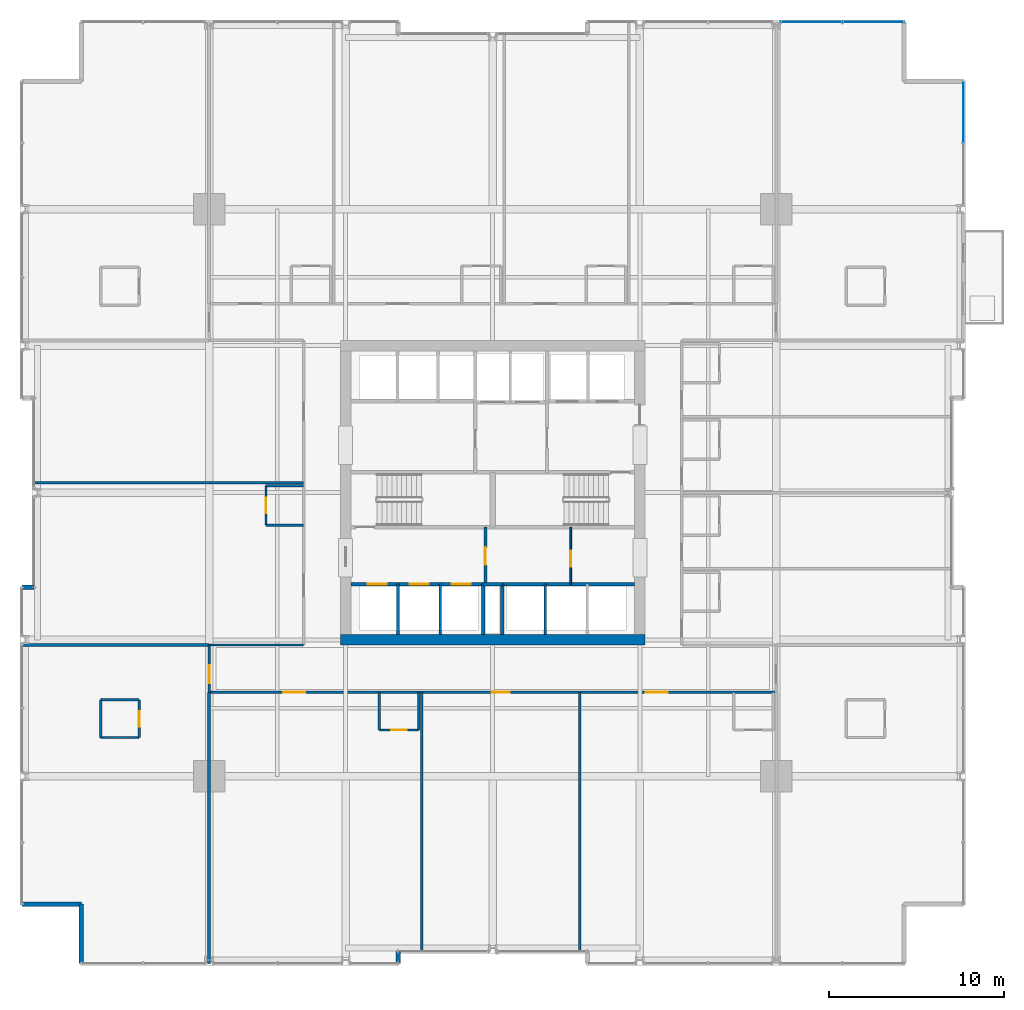
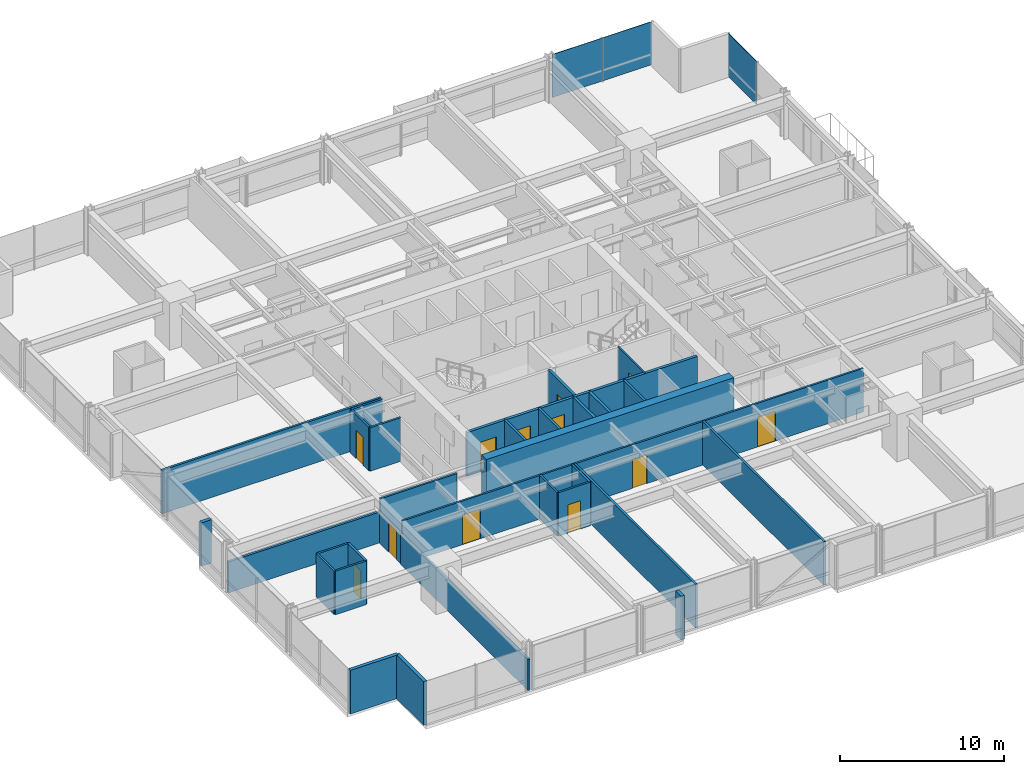
# One storey, part 30 of 38: 33 walls, 12 doors, 3 plates, 12 openings, 2 elements without a shape of their own.
"""IFC4 building model written with IfcOpenShell, lengths in metres."""

from ifc_helpers import new_model, si_unit, direction, frame, frame_2d, origin, origin_2d, place, context, subcontext, project, spatial, rectangle, extrude, material, layer, layer_set, type_object, element, fill, aggregate, save


model = new_model("IFC4")

# Units and contexts
model_context = context("Model", 3, precision=1e-05, world=origin(), true_north=direction((0.0, 1.0)))
body_context = subcontext(model_context, "Body", "Model", "MODEL_VIEW")
ifc_project = project(units=[si_unit("LENGTHUNIT", "METRE"), si_unit("AREAUNIT", "SQUARE_METRE"), si_unit("VOLUMEUNIT", "CUBIC_METRE"), si_unit("PLANEANGLEUNIT", "RADIAN"), si_unit("MASSUNIT", "GRAM", prefix="KILO")], contexts=[model_context])

# Site, building, storey
site_placement = place(None, origin())
site = spatial("IfcSite", under=ifc_project, at=site_placement, CompositionType="ELEMENT")
building_placement = place(site_placement, origin())
building = spatial("IfcBuilding", under=site, at=building_placement, Name="Drelvath Grand Hotel", CompositionType="ELEMENT")
storey_placement = place(building_placement, frame((0.0, 0.0, 50.699951171875)))
storey = spatial("IfcBuildingStorey", under=building, at=storey_placement, Name="L11", CompositionType="ELEMENT", Elevation=50.699951171875)

# Curtain wall, plate
ifc_material_1 = material(Name="Warm Bronze Anodised Aluminium Frame", Category="aluminium")
ifc_layer_1 = layer(ifc_material_1, 0.199951171875)
ifc_layer_set_1 = layer_set([ifc_layer_1], Name="Warm Bronze Anodised Aluminium Frame")
curtain_wall_type = type_object("IfcCurtainWallType", Name="Stick Curtain Wall CW-02 Warm Bronze Low-Rise", PredefinedType="NOTDEFINED", material=ifc_layer_set_1)
curtain_wall_1_placement = place(storey_placement, origin())
curtain_wall_1 = element("IfcCurtainWall", 1, at=curtain_wall_1_placement, inside=storey, type_object=curtain_wall_type, Name="L11 CW-02 Curtain Wall CW02-L11-EN3", PredefinedType="NOTDEFINED")
ifc_material_2 = material(Name="Low-E Triple Silver Vision Glass Bronze Tint", Category="glass")
ifc_layer_2 = layer(ifc_material_2, 0.035888671875)
ifc_layer_set_2 = layer_set([ifc_layer_2], Name="Low-E Triple Silver Vision Glass Bronze Tint")
plate_type = type_object("IfcPlateType", Name="Curtain Wall Vision Panel CW-02 36mm", PredefinedType="CURTAIN_PANEL", material=ifc_layer_set_2)
plate_1_placement = place(storey_placement, frame((26.8798828125, 48.735107421875, 0.02001953125), z_axis=(0.0, 0.0, 1.0), x_axis=(0.0, -1.0, 0.0)))
plate_1 = element("IfcPlate", 2, at=plate_1_placement, type_object=plate_type, Name="CW02-L11-EN3 Glazed Panel 1", PredefinedType="CURTAIN_PANEL", context=body_context, shape_type="SweptSolid", body=[
    extrude(rectangle(XDim=3.489501953125, YDim=0.035888671875, at=origin_2d()), origin(), (0.0, 0.0, 1.0), 3.199951171875),
])
aggregate(curtain_wall_1, [plate_1])

# Curtain wall, plates
curtain_wall_2_placement = place(storey_placement, origin())
curtain_wall_2 = element("IfcCurtainWall", 3, at=curtain_wall_2_placement, inside=storey, type_object=curtain_wall_type, Name="L11 CW-02 Curtain Wall CW02-L11-NE3", PredefinedType="NOTDEFINED")
plate_2_placement = place(storey_placement, frame((18.205810546875, 53.8798828125, 0.02001953125), z_axis=(0.0, 0.0, 1.0), x_axis=(1.0, 0.0, 0.0)))
plate_2 = element("IfcPlate", 4, at=plate_2_placement, type_object=plate_type, Name="CW02-L11-NE3 Glazed Panel 1", PredefinedType="CURTAIN_PANEL", context=body_context, shape_type="SweptSolid", body=[
    extrude(rectangle(XDim=3.489501953125, YDim=0.035888671875, at=origin_2d()), origin(), (0.0, 0.0, 1.0), 3.199951171875),
])
plate_3_placement = place(storey_placement, frame((21.735107421875, 53.8798828125, 0.02001953125), z_axis=(0.0, 0.0, 1.0), x_axis=(1.0, 0.0, 0.0)))
plate_3 = element("IfcPlate", 5, at=plate_3_placement, type_object=plate_type, Name="CW02-L11-NE3 Glazed Panel 2", PredefinedType="CURTAIN_PANEL", context=body_context, shape_type="SweptSolid", body=[
    extrude(rectangle(XDim=3.489501953125, YDim=0.035888671875, at=origin_2d()), origin(), (0.0, 0.0, 1.0), 3.199951171875),
])
aggregate(curtain_wall_2, [plate_2, plate_3])

# Wall, opening, door
ifc_material_3 = material(Name="Gypsum Partition Board")
ifc_layer_3 = layer(ifc_material_3, 0.10009765625)
ifc_layer_set_3 = layer_set([ifc_layer_3], Name="Gypsum Partition Board")
wall_type_1 = type_object("IfcWallType", Name="Core Closet Partition 100", PredefinedType="PARTITIONING", material=ifc_layer_set_3)
wall_1_placement = place(storey_placement, frame((4.4599609375, 21.780029296875, 0.0), z_axis=(0.0, 0.0, 1.0), x_axis=(0.0, 1.0, 0.0)))
wall_1 = element("IfcWall", 6, at=wall_1_placement, inside=storey, type_object=wall_type_1, Name="L11 Housekeeping Split Wall", PredefinedType="PARTITIONING", context=body_context, shape_type="SweptSolid", body=[
    extrude(rectangle(XDim=3.260009765625, YDim=0.10009765625, at=frame_2d((1.6298828125, 0.0))), origin(), (0.0, 0.0, 1.0), 3.239990234375),
])
opening_1_placement = place(wall_1_placement, frame((1.0, 0.0, 0.0)))
opening_1 = element("IfcOpeningElement", 7, at=opening_1_placement, cuts=wall_1, Name="Opening D-T1G2-015", PredefinedType="OPENING", context=body_context, shape_type="SweptSolid", body=[
    extrude(rectangle(XDim=0.919921875, YDim=2.10009765625, at=frame_2d((0.4599609375, 1.050048828125))), frame((0.0, 0.06005859375, 0.0), z_axis=(0.0, -1.0, 0.0), x_axis=(1.0, 0.0, 0.0)), (0.0, 0.0, 1.0), 0.1201171875),
])
ifc_material_4 = material(Name="Painted Steel S275", Category="steel")
door_type_1 = type_object("IfcDoorType", Name="Staff Utility Door 920x2100", OperationType="NOTDEFINED", PredefinedType="DOOR", material=ifc_material_4)
door_1_placement = place(opening_1_placement, origin())
door_1 = element("IfcDoor", 8, at=door_1_placement, inside=storey, type_object=door_type_1, Name="L11 Core Store Door", OperationType="SINGLE_SWING_RIGHT", OverallHeight=2.10009765625, OverallWidth=0.919921875, PredefinedType="DOOR", context=body_context, shape_type="SweptSolid", body=[
    extrude(rectangle(XDim=0.919921875, YDim=2.10009765625, at=frame_2d((0.4599609375, 1.050048828125))), frame((0.0, 0.02490234375, 0.0), z_axis=(0.0, -1.0, 0.0), x_axis=(1.0, 0.0, 0.0)), (0.0, 0.0, 1.0), 0.050048828125),
])
fill(opening_1, door_1)

# Wall, openings, doors
ifc_material_5 = material(Name="Concrete C40/50", Category="concrete")
ifc_layer_4 = layer(ifc_material_5, 0.199951171875)
ifc_layer_set_4 = layer_set([ifc_layer_4], Name="Concrete C40/50")
wall_type_2 = type_object("IfcWallType", Name="Core Hoistway Fire Wall 200", PredefinedType="SOLIDWALL", material=ifc_layer_set_4)
wall_2_placement = place(storey_placement, frame((-0.550048828125, 21.780029296875, 0.0), z_axis=(0.0, 0.0, 1.0), x_axis=(-1.0, 0.0, 0.0)))
wall_2 = element("IfcWall", 9, at=wall_2_placement, inside=storey, type_object=wall_type_2, Name="L11 Bank 1 Hoistway Wall", PredefinedType="SOLIDWALL", context=body_context, shape_type="SweptSolid", body=[
    extrude(rectangle(XDim=7.550048828125, YDim=0.199951171875, at=frame_2d((3.77490234375, 0.0))), origin(), (0.0, 0.0, 1.0), 3.239990234375),
])
opening_2_placement = place(wall_2_placement, frame((5.5, 0.0, 0.0)))
opening_2 = element("IfcOpeningElement", 10, at=opening_2_placement, cuts=wall_2, Name="Opening LD-PE-1", PredefinedType="OPENING", context=body_context, shape_type="SweptSolid", body=[
    extrude(rectangle(XDim=1.10009765625, YDim=2.199951171875, at=frame_2d((0.550048828125, 1.10009765625))), frame((0.0, 0.10986328125, 0.0), z_axis=(0.0, -1.0, 0.0), x_axis=(1.0, 0.0, 0.0)), (0.0, 0.0, 1.0), 0.219970703125),
])
opening_3_placement = place(wall_2_placement, frame((3.10009765625, 0.0, 0.0)))
opening_3 = element("IfcOpeningElement", 11, at=opening_3_placement, cuts=wall_2, Name="Opening LD-PE-2", PredefinedType="OPENING", context=body_context, shape_type="SweptSolid", body=[
    extrude(rectangle(XDim=1.10009765625, YDim=2.199951171875, at=frame_2d((0.550048828125, 1.10009765625))), frame((0.0, 0.10986328125, 0.0), z_axis=(0.0, -1.0, 0.0), x_axis=(1.0, 0.0, 0.0)), (0.0, 0.0, 1.0), 0.219970703125),
])
opening_4_placement = place(wall_2_placement, frame((0.699951171875, 0.0, 0.0)))
opening_4 = element("IfcOpeningElement", 12, at=opening_4_placement, cuts=wall_2, Name="Opening LD-PE-3", PredefinedType="OPENING", context=body_context, shape_type="SweptSolid", body=[
    extrude(rectangle(XDim=1.10009765625, YDim=2.199951171875, at=frame_2d((0.550048828125, 1.10009765625))), frame((0.0, 0.10986328125, 0.0), z_axis=(0.0, -1.0, 0.0), x_axis=(1.0, 0.0, 0.0)), (0.0, 0.0, 1.0), 0.219970703125),
])
ifc_material_6 = material(Name="Stainless Steel S355", Category="steel")
door_type_2 = type_object("IfcDoorType", Name="Passenger Lift Sliding Landing Door 1100x2200", OperationType="NOTDEFINED", PredefinedType="DOOR", material=ifc_material_6)
door_2_placement = place(opening_2_placement, origin())
door_2 = element("IfcDoor", 13, at=door_2_placement, inside=storey, type_object=door_type_2, Name="L11 Lift PE-1 Landing Door", OperationType="SLIDING_TO_LEFT", OverallHeight=2.199951171875, OverallWidth=1.10009765625, PredefinedType="DOOR", context=body_context, shape_type="SweptSolid", body=[
    extrude(rectangle(XDim=1.10009765625, YDim=2.199951171875, at=frame_2d((0.550048828125, 1.10009765625))), frame((0.0, 0.02490234375, 0.0), z_axis=(0.0, -1.0, 0.0), x_axis=(1.0, 0.0, 0.0)), (0.0, 0.0, 1.0), 0.050048828125),
])
fill(opening_2, door_2)
door_3_placement = place(opening_3_placement, origin())
door_3 = element("IfcDoor", 14, at=door_3_placement, inside=storey, type_object=door_type_2, Name="L11 Lift PE-2 Landing Door", OperationType="SLIDING_TO_LEFT", OverallHeight=2.199951171875, OverallWidth=1.10009765625, PredefinedType="DOOR", context=body_context, shape_type="SweptSolid", body=[
    extrude(rectangle(XDim=1.10009765625, YDim=2.199951171875, at=frame_2d((0.550048828125, 1.10009765625))), frame((0.0, 0.02490234375, 0.0), z_axis=(0.0, -1.0, 0.0), x_axis=(1.0, 0.0, 0.0)), (0.0, 0.0, 1.0), 0.050048828125),
])
fill(opening_3, door_3)
door_4_placement = place(opening_4_placement, origin())
door_4 = element("IfcDoor", 15, at=door_4_placement, inside=storey, type_object=door_type_2, Name="L11 Lift PE-3 Landing Door", OperationType="SLIDING_TO_LEFT", OverallHeight=2.199951171875, OverallWidth=1.10009765625, PredefinedType="DOOR", context=body_context, shape_type="SweptSolid", body=[
    extrude(rectangle(XDim=1.10009765625, YDim=2.199951171875, at=frame_2d((0.550048828125, 1.10009765625))), frame((0.0, 0.02490234375, 0.0), z_axis=(0.0, -1.0, 0.0), x_axis=(1.0, 0.0, 0.0)), (0.0, 0.0, 1.0), 0.050048828125),
])
fill(opening_4, door_4)

# Walls
wall_3_placement = place(storey_placement, frame((-0.550048828125, 18.89990234375, 0.0), z_axis=(0.0, 0.0, 1.0), x_axis=(0.0, 1.0, 0.0)))
element("IfcWall", 16, at=wall_3_placement, inside=storey, type_object=wall_type_2, Name="L11 Bank 1 East Wall", PredefinedType="SOLIDWALL", context=body_context, shape_type="SweptSolid", body=[
    extrude(rectangle(XDim=2.880126953125, YDim=0.199951171875, at=frame_2d((1.43994140625, 0.0))), origin(), (0.0, 0.0, 1.0), 3.239990234375),
])
wall_4_placement = place(storey_placement, frame((8.10009765625, 21.780029296875, 0.0), z_axis=(0.0, 0.0, 1.0), x_axis=(-1.0, 0.0, 0.0)))
element("IfcWall", 17, at=wall_4_placement, inside=storey, type_object=wall_type_2, Name="L11 Bank 2 Hoistway Wall", PredefinedType="SOLIDWALL", context=body_context, shape_type="SweptSolid", body=[
    extrude(rectangle(XDim=7.550048828125, YDim=0.199951171875, at=frame_2d((3.77490234375, 0.0))), origin(), (0.0, 0.0, 1.0), 3.239990234375),
])
wall_5_placement = place(storey_placement, frame((0.550048828125, 18.89990234375, 0.0), z_axis=(0.0, 0.0, 1.0), x_axis=(0.0, 1.0, 0.0)))
element("IfcWall", 18, at=wall_5_placement, inside=storey, type_object=wall_type_2, Name="L11 Bank 2 West Wall", PredefinedType="SOLIDWALL", context=body_context, shape_type="SweptSolid", body=[
    extrude(rectangle(XDim=2.880126953125, YDim=0.199951171875, at=frame_2d((1.43994140625, 0.0))), origin(), (0.0, 0.0, 1.0), 3.239990234375),
])
wall_6_placement = place(storey_placement, frame((-0.550048828125, 21.780029296875, 0.0), z_axis=(0.0, 0.0, 1.0), x_axis=(1.0, 0.0, 0.0)))
element("IfcWall", 19, at=wall_6_placement, inside=storey, type_object=wall_type_2, Name="L11 Core Riser Wall", PredefinedType="SOLIDWALL", context=body_context, shape_type="SweptSolid", body=[
    extrude(rectangle(XDim=1.10009765625, YDim=0.199951171875, at=frame_2d((0.550048828125, 0.0))), origin(), (0.0, 0.0, 1.0), 3.239990234375),
])
ifc_material_7 = material(Name="Gypsum Fireboard Partition")
ifc_layer_5 = layer(ifc_material_7, 0.1650390625)
ifc_layer_set_5 = layer_set([ifc_layer_5], Name="Gypsum Fireboard Partition")
wall_type_3 = type_object("IfcWallType", Name="Core Shaft Partition 165", PredefinedType="PARTITIONING", material=ifc_layer_set_5)
for number, where, z_axis, x_axis, name in (
    (20, (-5.39990234375, 18.89990234375, 0.0), (0.0, 0.0, 1.0), (0.0, 1.0, 0.0), "L11 Lift PE-1/2 Divider"),
    (21, (-3.0, 18.89990234375, 0.0), (0.0, 0.0, 1.0), (0.0, 1.0, 0.0), "L11 Lift PE-2/3 Divider"),
    (22, (3.0, 18.89990234375, 0.0), (0.0, 0.0, 1.0), (0.0, 1.0, 0.0), "L11 Lift PE-4/5 Divider"),
):
    element("IfcWall", number, at=place(storey_placement, frame(where, z_axis=z_axis, x_axis=x_axis)), inside=storey, type_object=wall_type_3, Name=name, PredefinedType="PARTITIONING", context=body_context, shape_type="SweptSolid", body=[
        extrude(rectangle(XDim=2.880126953125, YDim=0.1650390625, at=frame_2d((1.43994140625, 0.0))), origin(), (0.0, 0.0, 1.0), 3.239990234375),
    ])

# Wall, openings, doors
ifc_layer_6 = layer(ifc_material_7, 0.135009765625)
ifc_layer_set_6 = layer_set([ifc_layer_6], Name="Gypsum Fireboard Partition")
wall_type_4 = type_object("IfcWallType", Name="Corridor Fire Barrier Wall 135", PredefinedType="PARTITIONING", material=ifc_layer_set_6)
wall_7_placement = place(storey_placement, frame((-16.199951171875, 15.60009765625, 0.0), z_axis=(0.0, 0.0, 1.0), x_axis=(1.0, 0.0, 0.0)))
wall_7 = element("IfcWall", 23, at=wall_7_placement, inside=storey, type_object=wall_type_4, Name="L11 South Corridor Wall", PredefinedType="PARTITIONING", context=body_context, shape_type="SweptSolid", body=[
    extrude(rectangle(XDim=32.39990234375, YDim=0.135009765625, at=frame_2d((16.199951171875, 0.0))), origin(), (0.0, 0.0, 1.0), 3.239990234375),
])
opening_5_placement = place(wall_7_placement, frame((4.22998046875, 0.0, 0.0)))
opening_5 = element("IfcOpeningElement", 24, at=opening_5_placement, cuts=wall_7, Name="Opening D-T1G2-025", PredefinedType="OPENING", context=body_context, shape_type="SweptSolid", body=[
    extrude(rectangle(XDim=1.260009765625, YDim=2.199951171875, at=frame_2d((0.6298828125, 1.10009765625))), frame((0.0, 0.077392578125, 0.0), z_axis=(0.0, -1.0, 0.0), x_axis=(1.0, 0.0, 0.0)), (0.0, 0.0, 1.0), 0.155029296875),
])
opening_6_placement = place(wall_7_placement, frame((16.155029296875, 0.0, 0.0)))
opening_6 = element("IfcOpeningElement", 25, at=opening_6_placement, cuts=wall_7, Name="Opening D-T1G2-026", PredefinedType="OPENING", context=body_context, shape_type="SweptSolid", body=[
    extrude(rectangle(XDim=1.02001953125, YDim=2.14990234375, at=frame_2d((0.510009765625, 1.074951171875))), frame((0.0, 0.077392578125, 0.0), z_axis=(0.0, -1.0, 0.0), x_axis=(1.0, 0.0, 0.0)), (0.0, 0.0, 1.0), 0.155029296875),
])
opening_7_placement = place(wall_7_placement, frame((24.945068359375, 0.0, 0.0)))
opening_7 = element("IfcOpeningElement", 26, at=opening_7_placement, cuts=wall_7, Name="Opening D-T1G2-028", PredefinedType="OPENING", context=body_context, shape_type="SweptSolid", body=[
    extrude(rectangle(XDim=1.260009765625, YDim=2.199951171875, at=frame_2d((0.6298828125, 1.10009765625))), frame((0.0, 0.077392578125, 0.0), z_axis=(0.0, -1.0, 0.0), x_axis=(1.0, 0.0, 0.0)), (0.0, 0.0, 1.0), 0.155029296875),
])
ifc_material_8 = material(Name="Hardwood Walnut Timber", Category="wood")
door_type_3 = type_object("IfcDoorType", Name="Amenity Meeting Fire Door 1020x2150", OperationType="NOTDEFINED", PredefinedType="DOOR", material=ifc_material_8)
door_5_placement = place(opening_6_placement, origin())
door_5 = element("IfcDoor", 27, at=door_5_placement, inside=storey, type_object=door_type_3, Name="L11 Executive Club Lounge Entry Door", OperationType="SINGLE_SWING_LEFT", OverallHeight=2.14990234375, OverallWidth=1.02001953125, PredefinedType="DOOR", context=body_context, shape_type="SweptSolid", body=[
    extrude(rectangle(XDim=1.02001953125, YDim=2.14990234375, at=frame_2d((0.510009765625, 1.074951171875))), frame((0.0, 0.02490234375, 0.0), z_axis=(0.0, -1.0, 0.0), x_axis=(1.0, 0.0, 0.0)), (0.0, 0.0, 1.0), 0.050048828125),
])
fill(opening_6, door_5)
door_type_4 = type_object("IfcDoorType", Name="Suite Entrance Fire Door 1260x2200", OperationType="NOTDEFINED", PredefinedType="DOOR", material=ifc_material_8)
door_6_placement = place(opening_5_placement, origin())
door_6 = element("IfcDoor", 28, at=door_6_placement, inside=storey, type_object=door_type_4, Name="L11 Corner Suite Entry Door", OperationType="SINGLE_SWING_RIGHT", OverallHeight=2.199951171875, OverallWidth=1.260009765625, PredefinedType="DOOR", context=body_context, shape_type="SweptSolid", body=[
    extrude(rectangle(XDim=1.260009765625, YDim=2.199951171875, at=frame_2d((0.6298828125, 1.10009765625))), frame((0.0, 0.02490234375, 0.0), z_axis=(0.0, -1.0, 0.0), x_axis=(1.0, 0.0, 0.0)), (0.0, 0.0, 1.0), 0.050048828125),
])
fill(opening_5, door_6)
door_7_placement = place(opening_7_placement, origin())
door_7 = element("IfcDoor", 29, at=door_7_placement, inside=storey, type_object=door_type_4, Name="L11 Corner Suite Entry Door", OperationType="SINGLE_SWING_LEFT", OverallHeight=2.199951171875, OverallWidth=1.260009765625, PredefinedType="DOOR", context=body_context, shape_type="SweptSolid", body=[
    extrude(rectangle(XDim=1.260009765625, YDim=2.199951171875, at=frame_2d((0.6298828125, 1.10009765625))), frame((0.0, 0.02490234375, 0.0), z_axis=(0.0, -1.0, 0.0), x_axis=(1.0, 0.0, 0.0)), (0.0, 0.0, 1.0), 0.050048828125),
])
fill(opening_7, door_7)

# Wall
wall_8_placement = place(storey_placement, frame((-16.199951171875, 18.300048828125, 0.0), z_axis=(0.0, 0.0, 1.0), x_axis=(1.0, 0.0, 0.0)))
element("IfcWall", 30, at=wall_8_placement, inside=storey, type_object=wall_type_4, Name="L11 SW Spur Inner Wall", PredefinedType="PARTITIONING", context=body_context, shape_type="SweptSolid", body=[
    extrude(rectangle(XDim=5.39990234375, YDim=0.135009765625, at=frame_2d((2.699951171875, 0.0))), origin(), (0.0, 0.0, 1.0), 3.239990234375),
])

# Wall, opening, door
wall_9_placement = place(storey_placement, frame((-16.199951171875, 15.60009765625, 0.0), z_axis=(0.0, 0.0, 1.0), x_axis=(0.0, 1.0, 0.0)))
wall_9 = element("IfcWall", 31, at=wall_9_placement, inside=storey, type_object=wall_type_4, Name="L11 South Corridor West End", PredefinedType="PARTITIONING", context=body_context, shape_type="SweptSolid", body=[
    extrude(rectangle(XDim=2.699951171875, YDim=0.135009765625, at=frame_2d((1.35009765625, 0.0))), origin(), (0.0, 0.0, 1.0), 2.29833984375),
])
opening_8_placement = place(wall_9_placement, frame((0.52001953125, 0.0, 0.0)))
opening_8 = element("IfcOpeningElement", 32, at=opening_8_placement, cuts=wall_9, Name="Opening D-T1G2-017", PredefinedType="OPENING", context=body_context, shape_type="SweptSolid", body=[
    extrude(rectangle(XDim=1.02001953125, YDim=2.14990234375, at=frame_2d((0.510009765625, 1.074951171875))), frame((0.0, 0.077392578125, 0.0), z_axis=(0.0, -1.0, 0.0), x_axis=(1.0, 0.0, 0.0)), (0.0, 0.0, 1.0), 0.155029296875),
])
door_8_placement = place(opening_8_placement, origin())
door_8 = element("IfcDoor", 33, at=door_8_placement, inside=storey, type_object=door_type_3, Name="L11 Corner Suite Entry Door", OperationType="SINGLE_SWING_RIGHT", OverallHeight=2.14990234375, OverallWidth=1.02001953125, PredefinedType="DOOR", context=body_context, shape_type="SweptSolid", body=[
    extrude(rectangle(XDim=1.02001953125, YDim=2.14990234375, at=frame_2d((0.510009765625, 1.074951171875))), frame((0.0, 0.02490234375, 0.0), z_axis=(0.0, -1.0, 0.0), x_axis=(1.0, 0.0, 0.0)), (0.0, 0.0, 1.0), 0.050048828125),
])
fill(opening_8, door_8)

# Walls
ifc_material_9 = material(Name="Moisture-Resistant Gypsum Board")
ifc_layer_7 = layer(ifc_material_9, 0.139892578125)
ifc_layer_set_7 = layer_set([ifc_layer_7], Name="Moisture-Resistant Gypsum Board")
wall_type_5 = type_object("IfcWallType", Name="En-Suite Plumbing Wall 140", PredefinedType="PLUMBINGWALL", material=ifc_layer_set_7)
for number, where, z_axis, x_axis, name in (
    (34, (-22.39990234375, 13.02001953125, 0.0), (0.0, 0.0, 1.0), (1.0, 0.0, 0.0), "L11 Corner En-Suite South"),
    (35, (-22.39990234375, 15.169921875, 0.0), (0.0, 0.0, 1.0), (1.0, 0.0, 0.0), "L11 Corner En-Suite North"),
):
    element("IfcWall", number, at=place(storey_placement, frame(where, z_axis=z_axis, x_axis=x_axis)), inside=storey, type_object=wall_type_5, Name=name, PredefinedType="PLUMBINGWALL", context=body_context, shape_type="SweptSolid", body=[
        extrude(rectangle(XDim=2.199951171875, YDim=0.139892578125, at=frame_2d((1.10009765625, 0.0))), origin(), (0.0, 0.0, 1.0), 3.239990234375),
    ])
wall_10_placement = place(storey_placement, frame((-22.39990234375, 13.02001953125, 0.0), z_axis=(0.0, 0.0, 1.0), x_axis=(0.0, 1.0, 0.0)))
element("IfcWall", 36, at=wall_10_placement, inside=storey, type_object=wall_type_5, Name="L11 Corner En-Suite West", PredefinedType="PLUMBINGWALL", context=body_context, shape_type="SweptSolid", body=[
    extrude(rectangle(XDim=2.14990234375, YDim=0.139892578125, at=frame_2d((1.074951171875, 0.0))), origin(), (0.0, 0.0, 1.0), 3.239990234375),
])

# Wall, opening, door
wall_11_placement = place(storey_placement, frame((-20.199951171875, 13.02001953125, 0.0), z_axis=(0.0, 0.0, 1.0), x_axis=(0.0, 1.0, 0.0)))
wall_11 = element("IfcWall", 37, at=wall_11_placement, inside=storey, type_object=wall_type_5, Name="L11 Corner En-Suite East", PredefinedType="PLUMBINGWALL", context=body_context, shape_type="SweptSolid", body=[
    extrude(rectangle(XDim=2.14990234375, YDim=0.139892578125, at=frame_2d((1.074951171875, 0.0))), origin(), (0.0, 0.0, 1.0), 3.239990234375),
])
opening_9_placement = place(wall_11_placement, frame((0.6201171875, 0.0, 0.0)))
opening_9 = element("IfcOpeningElement", 38, at=opening_9_placement, cuts=wall_11, Name="Opening D-T1G2-016", PredefinedType="OPENING", context=body_context, shape_type="SweptSolid", body=[
    extrude(rectangle(XDim=0.8798828125, YDim=2.10009765625, at=frame_2d((0.43994140625, 1.050048828125))), frame((0.0, 0.079833984375, 0.0), z_axis=(0.0, -1.0, 0.0), x_axis=(1.0, 0.0, 0.0)), (0.0, 0.0, 1.0), 0.159912109375),
])
door_type_5 = type_object("IfcDoorType", Name="En-Suite Bathroom Door 880x2100", OperationType="NOTDEFINED", PredefinedType="DOOR", material=ifc_material_8)
door_9_placement = place(opening_9_placement, origin())
door_9 = element("IfcDoor", 39, at=door_9_placement, inside=storey, type_object=door_type_5, Name="L11 Corner En-Suite Door", OperationType="SINGLE_SWING_LEFT", OverallHeight=2.10009765625, OverallWidth=0.8798828125, PredefinedType="DOOR", context=body_context, shape_type="SweptSolid", body=[
    extrude(rectangle(XDim=0.8798828125, YDim=2.10009765625, at=frame_2d((0.43994140625, 1.050048828125))), frame((0.0, 0.02490234375, 0.0), z_axis=(0.0, -1.0, 0.0), x_axis=(1.0, 0.0, 0.0)), (0.0, 0.0, 1.0), 0.050048828125),
])
fill(opening_9, door_9)

# Walls
for number, where, z_axis, x_axis, name in (
    (40, (-6.47998046875, 15.60009765625, 0.0), (0.0, 0.0, 1.0), (0.0, -1.0, 0.0), "L11 En-Suite Left Wall"),
    (41, (-4.22998046875, 15.60009765625, 0.0), (0.0, 0.0, 1.0), (0.0, -1.0, 0.0), "L11 En-Suite Right Wall"),
):
    element("IfcWall", number, at=place(storey_placement, frame(where, z_axis=z_axis, x_axis=x_axis)), inside=storey, type_object=wall_type_5, Name=name, PredefinedType="PLUMBINGWALL", context=body_context, shape_type="SweptSolid", body=[
        extrude(rectangle(XDim=2.150146484375, YDim=0.139892578125, at=frame_2d((1.0751953125, 0.0))), origin(), (0.0, 0.0, 1.0), 3.239990234375),
    ])

# Wall, opening, door
wall_12_placement = place(storey_placement, frame((-6.47998046875, 13.449951171875, 0.0), z_axis=(0.0, 0.0, 1.0), x_axis=(1.0, 0.0, 0.0)))
wall_12 = element("IfcWall", 42, at=wall_12_placement, inside=storey, type_object=wall_type_5, Name="L11 En-Suite Front Wall", PredefinedType="PLUMBINGWALL", context=body_context, shape_type="SweptSolid", body=[
    extrude(rectangle(XDim=2.25, YDim=0.139892578125, at=frame_2d((1.125, 0.0))), origin(), (0.0, 0.0, 1.0), 3.239990234375),
])
opening_10_placement = place(wall_12_placement, frame((0.68505859375, 0.0, 0.0)))
opening_10 = element("IfcOpeningElement", 43, at=opening_10_placement, cuts=wall_12, Name="Opening D-T1G2-024", PredefinedType="OPENING", context=body_context, shape_type="SweptSolid", body=[
    extrude(rectangle(XDim=0.8798828125, YDim=2.10009765625, at=frame_2d((0.43994140625, 1.050048828125))), frame((0.0, 0.079833984375, 0.0), z_axis=(0.0, -1.0, 0.0), x_axis=(1.0, 0.0, 0.0)), (0.0, 0.0, 1.0), 0.159912109375),
])
door_10_placement = place(opening_10_placement, origin())
door_10 = element("IfcDoor", 44, at=door_10_placement, inside=storey, type_object=door_type_5, Name="L11 En-Suite Bathroom Door", OperationType="SINGLE_SWING_LEFT", OverallHeight=2.10009765625, OverallWidth=0.8798828125, PredefinedType="DOOR", context=body_context, shape_type="SweptSolid", body=[
    extrude(rectangle(XDim=0.8798828125, YDim=2.10009765625, at=frame_2d((0.43994140625, 1.050048828125))), frame((0.0, 0.02490234375, 0.0), z_axis=(0.0, -1.0, 0.0), x_axis=(1.0, 0.0, 0.0)), (0.0, 0.0, 1.0), 0.050048828125),
])
fill(opening_10, door_10)

# Walls
for number, where, z_axis, x_axis, name in (
    (45, (-10.800048828125, 25.14990234375, 0.0), (0.0, 0.0, 1.0), (-1.0, 0.0, 0.0), "L11 En-Suite Left Wall"),
    (46, (-10.800048828125, 27.39990234375, 0.0), (0.0, 0.0, 1.0), (-1.0, 0.0, 0.0), "L11 En-Suite Right Wall"),
):
    element("IfcWall", number, at=place(storey_placement, frame(where, z_axis=z_axis, x_axis=x_axis)), inside=storey, type_object=wall_type_5, Name=name, PredefinedType="PLUMBINGWALL", context=body_context, shape_type="SweptSolid", body=[
        extrude(rectangle(XDim=2.14990234375, YDim=0.139892578125, at=frame_2d((1.074951171875, 0.0))), origin(), (0.0, 0.0, 1.0), 3.239990234375),
    ])

# Wall, opening, door
wall_13_placement = place(storey_placement, frame((-12.949951171875, 25.14990234375, 0.0), z_axis=(0.0, 0.0, 1.0), x_axis=(0.0, 1.0, 0.0)))
wall_13 = element("IfcWall", 47, at=wall_13_placement, inside=storey, type_object=wall_type_5, Name="L11 En-Suite Front Wall", PredefinedType="PLUMBINGWALL", context=body_context, shape_type="SweptSolid", body=[
    extrude(rectangle(XDim=2.25, YDim=0.139892578125, at=frame_2d((1.125, 0.0))), origin(), (0.0, 0.0, 1.0), 3.239990234375),
])
opening_11_placement = place(wall_13_placement, frame((0.68505859375, 0.0, 0.0)))
opening_11 = element("IfcOpeningElement", 48, at=opening_11_placement, cuts=wall_13, Name="Opening D-T1G2-037", PredefinedType="OPENING", context=body_context, shape_type="SweptSolid", body=[
    extrude(rectangle(XDim=0.8798828125, YDim=2.10009765625, at=frame_2d((0.43994140625, 1.050048828125))), frame((0.0, 0.079833984375, 0.0), z_axis=(0.0, -1.0, 0.0), x_axis=(1.0, 0.0, 0.0)), (0.0, 0.0, 1.0), 0.159912109375),
])
door_11_placement = place(opening_11_placement, origin())
door_11 = element("IfcDoor", 49, at=door_11_placement, inside=storey, type_object=door_type_5, Name="L11 En-Suite Bathroom Door", OperationType="SINGLE_SWING_RIGHT", OverallHeight=2.10009765625, OverallWidth=0.8798828125, PredefinedType="DOOR", context=body_context, shape_type="SweptSolid", body=[
    extrude(rectangle(XDim=0.8798828125, YDim=2.10009765625, at=frame_2d((0.43994140625, 1.050048828125))), frame((0.0, 0.02490234375, 0.0), z_axis=(0.0, -1.0, 0.0), x_axis=(1.0, 0.0, 0.0)), (0.0, 0.0, 1.0), 0.050048828125),
])
fill(opening_11, door_11)

ifc_layer_8 = layer(ifc_material_7, 0.179931640625)
ifc_layer_set_8 = layer_set([ifc_layer_8], Name="Gypsum Fireboard Partition")
wall_type_6 = type_object("IfcWallType", Name="FSAE Smoke Lobby Fire Wall 180", PredefinedType="SOLIDWALL", material=ifc_layer_set_8)
wall_14_placement = place(storey_placement, frame((-0.419921875, 21.780029296875, 0.0), z_axis=(0.0, 0.0, 1.0), x_axis=(0.0, 1.0, 0.0)))
wall_14 = element("IfcWall", 50, at=wall_14_placement, inside=storey, type_object=wall_type_6, Name="L11 Low-Rise Lobby East Wall", PredefinedType="SOLIDWALL", context=body_context, shape_type="SweptSolid", body=[
    extrude(rectangle(XDim=3.260009765625, YDim=0.179931640625, at=frame_2d((1.6298828125, 0.0))), origin(), (0.0, 0.0, 1.0), 3.239990234375),
])
opening_12_placement = place(wall_14_placement, frame((1.10009765625, 0.0, 0.0)))
opening_12 = element("IfcOpeningElement", 51, at=opening_12_placement, cuts=wall_14, Name="Opening D-T1G2-013", PredefinedType="OPENING", context=body_context, shape_type="SweptSolid", body=[
    extrude(rectangle(XDim=1.0, YDim=2.10009765625, at=frame_2d((0.5, 1.050048828125))), frame((0.0, 0.099853515625, 0.0), z_axis=(0.0, -1.0, 0.0), x_axis=(1.0, 0.0, 0.0)), (0.0, 0.0, 1.0), 0.199951171875),
])
door_type_6 = type_object("IfcDoorType", Name="Core Service Fire Door 1000x2100", OperationType="NOTDEFINED", PredefinedType="DOOR", material=ifc_material_4)
door_12_placement = place(opening_12_placement, origin())
door_12 = element("IfcDoor", 52, at=door_12_placement, inside=storey, type_object=door_type_6, Name="L11 Housekeeping Entry Door", OperationType="SINGLE_SWING_RIGHT", OverallHeight=2.10009765625, OverallWidth=1.0, PredefinedType="DOOR", context=body_context, shape_type="SweptSolid", body=[
    extrude(rectangle(XDim=1.0, YDim=2.10009765625, at=frame_2d((0.5, 1.050048828125))), frame((0.0, 0.02490234375, 0.0), z_axis=(0.0, -1.0, 0.0), x_axis=(1.0, 0.0, 0.0)), (0.0, 0.0, 1.0), 0.050048828125),
])
fill(opening_12, door_12)

# Walls
ifc_material_10 = material(Name="Gypsum Acoustic Partition")
ifc_layer_9 = layer(ifc_material_10, 0.14990234375)
ifc_layer_set_9 = layer_set([ifc_layer_9], Name="Gypsum Acoustic Partition")
wall_type_7 = type_object("IfcWallType", Name="Guestroom Demising Wall 150", PredefinedType="PARTITIONING", material=ifc_layer_set_9)
for number, where, z_axis, x_axis, name in (
    (53, (-4.050048828125, 0.800048828125, 0.0), (0.0, 0.0, 1.0), (0.0, 1.0, 0.0), "L11 South Demising 1"),
    (54, (4.97998046875, 0.800048828125, 0.0), (0.0, 0.0, 1.0), (0.0, 1.0, 0.0), "L11 South Demising 2"),
):
    element("IfcWall", number, at=place(storey_placement, frame(where, z_axis=z_axis, x_axis=x_axis)), inside=storey, type_object=wall_type_7, Name=name, PredefinedType="PARTITIONING", context=body_context, shape_type="SweptSolid", body=[
        extrude(rectangle(XDim=14.800048828125, YDim=0.14990234375, at=frame_2d((7.39990234375, 0.0))), origin(), (0.0, 0.0, 1.0), 3.239990234375),
    ])
wall_15_placement = place(storey_placement, frame((-26.199951171875, 27.580078125, 0.0), z_axis=(0.0, 0.0, 1.0), x_axis=(1.0, 0.0, 0.0)))
element("IfcWall", 55, at=wall_15_placement, inside=storey, type_object=wall_type_7, Name="L11 West Demising 1", PredefinedType="PARTITIONING", context=body_context, shape_type="SweptSolid", body=[
    extrude(rectangle(XDim=15.39990234375, YDim=0.14990234375, at=frame_2d((7.699951171875, 0.0))), origin(), (0.0, 0.0, 1.0), 3.239990234375),
])
ifc_material_11 = material(Name="Concrete f'c 70 MPa", Category="concrete")
ifc_layer_10 = layer(ifc_material_11, 0.60009765625)
ifc_layer_set_10 = layer_set([ifc_layer_10], Name="Concrete f'c 70 MPa")
wall_type_8 = type_object("IfcWallType", Name="Lower Core RC Shear Wall 600", PredefinedType="SHEAR", material=ifc_layer_set_10)
wall_16_placement = place(storey_placement, frame((8.699951171875, 18.60009765625, 0.0), z_axis=(0.0, 0.0, 1.0), x_axis=(-1.0, 0.0, 0.0)))
element("IfcWall", 56, at=wall_16_placement, inside=storey, type_object=wall_type_8, Name="L11 Central Core Shear Wall S", PredefinedType="SHEAR", context=body_context, shape_type="SweptSolid", body=[
    extrude(rectangle(XDim=17.39990234375, YDim=0.60009765625, at=frame_2d((8.699951171875, 0.0))), origin(), (0.0, 0.0, 1.0), 3.5),
])
ifc_layer_11 = layer(ifc_material_10, 0.1650390625)
ifc_layer_set_11 = layer_set([ifc_layer_11], Name="Gypsum Acoustic Partition")
wall_type_9 = type_object("IfcWallType", Name="Suite Demising Wall 165", PredefinedType="PARTITIONING", material=ifc_layer_set_11)
wall_17_placement = place(storey_placement, frame((-16.199951171875, 0.1201171875, 0.0), z_axis=(0.0, 0.0, 1.0), x_axis=(0.0, 1.0, 0.0)))
element("IfcWall", 57, at=wall_17_placement, inside=storey, type_object=wall_type_9, Name="L11 SW Wing Boundary Wall", PredefinedType="PARTITIONING", context=body_context, shape_type="SweptSolid", body=[
    extrude(rectangle(XDim=15.47998046875, YDim=0.1650390625, at=frame_2d((7.739990234375, 0.0))), origin(), (0.0, 0.0, 1.0), 2.29833984375),
])
wall_18_placement = place(storey_placement, frame((-26.8798828125, 18.300048828125, 0.0), z_axis=(0.0, 0.0, 1.0), x_axis=(1.0, 0.0, 0.0)))
element("IfcWall", 58, at=wall_18_placement, inside=storey, type_object=wall_type_9, Name="L11 SW Corner North Wall", PredefinedType="PARTITIONING", context=body_context, shape_type="SweptSolid", body=[
    extrude(rectangle(XDim=10.679931640625, YDim=0.1650390625, at=frame_2d((5.33984375, 0.0))), origin(), (0.0, 0.0, 1.0), 2.29833984375),
])
ifc_material_12 = material(Name="Pale-Metal Insulated Aluminium Spandrel Assembly", Category="aluminium")
ifc_layer_12 = layer(ifc_material_12, 0.239990234375)
ifc_layer_set_12 = layer_set([ifc_layer_12], Name="Pale-Metal Insulated Aluminium Spandrel Assembly")
wall_type_10 = type_object("IfcWallType", Name="Tower Insulated Metal Spandrel Closure Wall 240", PredefinedType="STANDARD", material=ifc_layer_set_12)
for number, where, z_axis, x_axis, name in (
    (59, (-23.5, 0.1201171875, 0.0), (0.0, 0.0, 1.0), (0.0, 1.0, 0.0), "L11 Notched Corner Return Spandrel Wall CSW1"),
    (60, (-23.5, 3.5, 0.0), (0.0, 0.0, 1.0), (-1.0, 0.0, 0.0), "L11 Notched Corner Return Spandrel Wall CSW2"),
):
    element("IfcWall", number, at=place(storey_placement, frame(where, z_axis=z_axis, x_axis=x_axis)), inside=storey, type_object=wall_type_10, Name=name, PredefinedType="STANDARD", context=body_context, shape_type="SweptSolid", body=[
        extrude(rectangle(XDim=3.3798828125, YDim=0.239990234375, at=frame_2d((1.68994140625, 0.0))), origin(), (0.0, 0.0, 1.0), 3.239990234375),
    ])
for number, where, z_axis, x_axis, name in (
    (61, (-26.8798828125, 21.60009765625, 0.0), (0.0, 0.0, 1.0), (1.0, 0.0, 0.0), "L11 Notched Corner Return Spandrel Wall RW1"),
    (62, (-5.39990234375, 0.800048828125, 0.0), (0.0, 0.0, 1.0), (0.0, -1.0, 0.0), "L11 Notched Corner Return Spandrel Wall RS2"),
):
    element("IfcWall", number, at=place(storey_placement, frame(where, z_axis=z_axis, x_axis=x_axis)), inside=storey, type_object=wall_type_10, Name=name, PredefinedType="STANDARD", context=body_context, shape_type="SweptSolid", body=[
        extrude(rectangle(XDim=0.679931640625, YDim=0.239990234375, at=frame_2d((0.33984375, 0.0))), origin(), (0.0, 0.0, 1.0), 3.239990234375),
    ])

save(model, "model.ifc")
